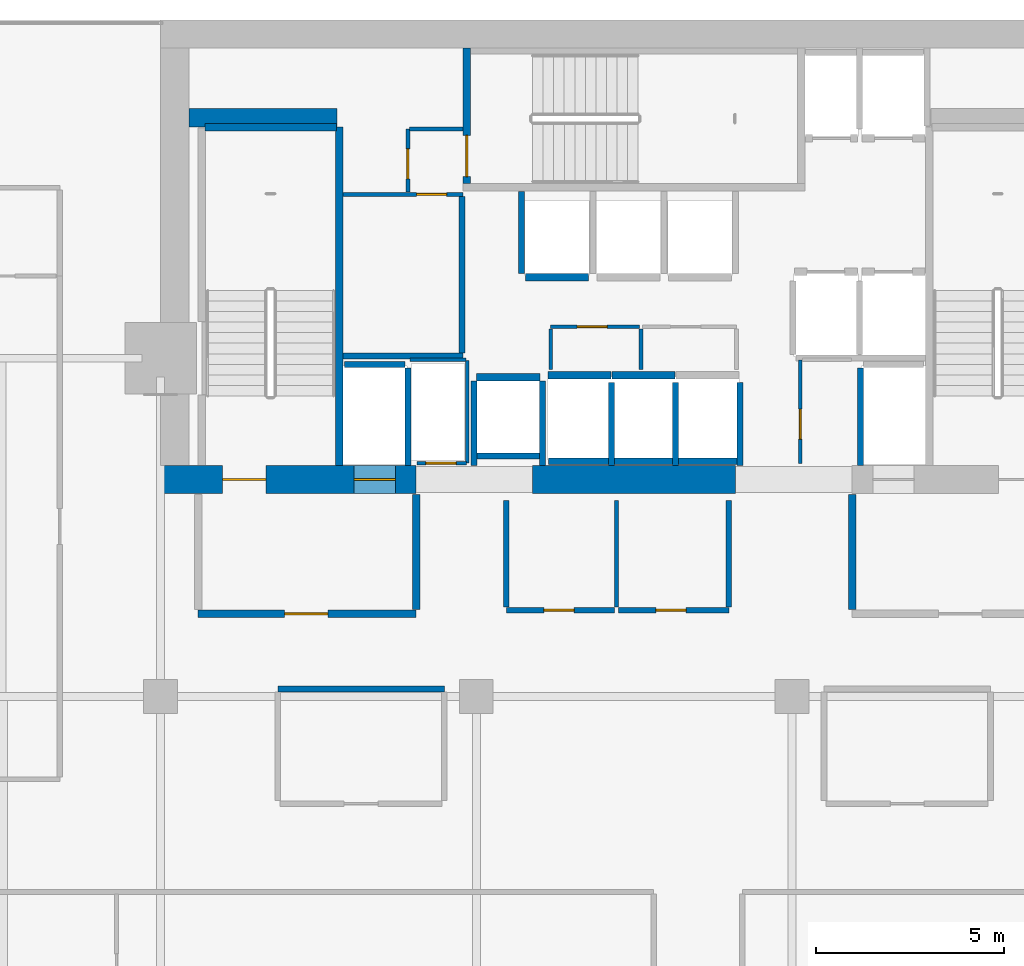
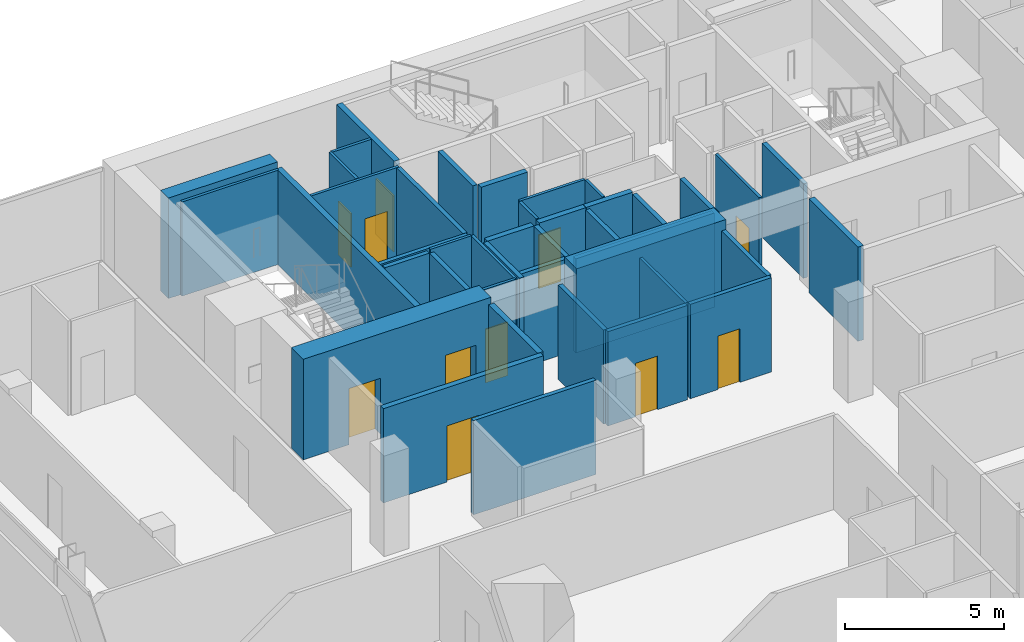
# One storey, part 29 of 33: 42 walls, 11 doors, 11 openings.
"""IFC4 building model written with IfcOpenShell, lengths in metres."""

from ifc_helpers import new_model, si_unit, direction, frame, frame_2d, origin, place, context, subcontext, project, spatial, rectangle, extrude, material, layer, layer_set, type_object, element, fill, save


model = new_model("IFC4")

# Units and contexts
model_context = context("Model", 3, precision=1e-05, world=origin(), true_north=direction((0.0, 1.0)))
body_context = subcontext(model_context, "Body", "Model", "MODEL_VIEW")
ifc_project = project(units=[si_unit("LENGTHUNIT", "METRE"), si_unit("AREAUNIT", "SQUARE_METRE"), si_unit("VOLUMEUNIT", "CUBIC_METRE"), si_unit("PLANEANGLEUNIT", "RADIAN"), si_unit("MASSUNIT", "GRAM", prefix="KILO")], contexts=[model_context])

# Site, building, storey
site_placement = place(None, origin())
site = spatial("IfcSite", under=ifc_project, at=site_placement, CompositionType="ELEMENT")
building_placement = place(site_placement, origin())
building = spatial("IfcBuilding", under=site, at=building_placement, Name="Maruvema Waterfront Hotel and Observation Tower", CompositionType="ELEMENT")
storey_placement = place(building_placement, frame((0.0, 0.0, 204.39990234375)))
storey = spatial("IfcBuildingStorey", under=building, at=storey_placement, Name="L50", CompositionType="ELEMENT", Elevation=204.39990234375)

# Walls
ifc_material_1 = material(Name="Twin-stud acoustic gypsum drywall", Category="gypsum")
ifc_layer_1 = layer(ifc_material_1, 0.14990234375, Name="Acoustic Corridor and Suite Demising Wall 150 mm")
ifc_layer_set_1 = layer_set([ifc_layer_1], Name="Twin-stud acoustic gypsum drywall")
wall_type_1 = type_object("IfcWallType", Name="Acoustic Corridor and Suite Demising Wall 150 mm", PredefinedType="PARTITIONING", material=ifc_layer_set_1)
wall_1_placement = place(storey_placement, frame((30.06005859375, 45.06005859375, 0.0), z_axis=(0.0, 0.0, 1.0), x_axis=(1.0, 0.0, 0.0)))
element("IfcWall", 1, at=wall_1_placement, inside=storey, type_object=wall_type_1, Name="L50 Freed B1 South Wall 017", PredefinedType="PARTITIONING", context=body_context, shape_type="SweptSolid", body=[
    extrude(rectangle(XDim=3.179931640625, YDim=0.14990234375, at=frame_2d((1.58984375, 0.0))), origin(), (0.0, 0.0, 1.0), 3.610107421875),
])
wall_2_placement = place(storey_placement, frame((33.219970703125, 45.139892578125, 0.0), z_axis=(0.0, 0.0, 1.0), x_axis=(0.0, 1.0, 0.0)))
element("IfcWall", 2, at=wall_2_placement, inside=storey, type_object=wall_type_1, Name="L50 Freed B1 East Wall 018", PredefinedType="PARTITIONING", context=body_context, shape_type="SweptSolid", body=[
    extrude(rectangle(XDim=4.16015625, YDim=0.14990234375, at=frame_2d((2.080078125, 0.0))), origin(), (0.0, 0.0, 1.0), 3.610107421875),
])

# Wall, opening, door
wall_3_placement = place(storey_placement, frame((34.39990234375, 38.300048828125, 0.0), z_axis=(0.0, 0.0, 1.0), x_axis=(1.0, 0.0, 0.0)))
wall_3 = element("IfcWall", 3, at=wall_3_placement, inside=storey, type_object=wall_type_1, Name="L50 Core Apron K2A South 022", PredefinedType="PARTITIONING", context=body_context, shape_type="SweptSolid", body=[
    extrude(rectangle(XDim=2.880126953125, YDim=0.14990234375, at=frame_2d((1.43994140625, 0.0))), origin(), (0.0, 0.0, 1.0), 3.610107421875),
])
opening_1_placement = place(wall_3_placement, frame((1.0, 0.0, 0.0)))
opening_1 = element("IfcOpeningElement", 4, at=opening_1_placement, cuts=wall_3, Name="Opening DR-080", PredefinedType="OPENING", context=body_context, shape_type="SweptSolid", body=[
    extrude(rectangle(XDim=0.800048828125, YDim=2.050048828125, at=frame_2d((0.39990234375, 1.02490234375))), frame((0.0, 0.0849609375, 0.0), z_axis=(0.0, -1.0, 0.0), x_axis=(1.0, 0.0, 0.0)), (0.0, 0.0, 1.0), 0.169921875),
])
ifc_material_2 = material(Name="Powder-coated steel access leaf", Category="steel")
door_type_1 = type_object("IfcDoorType", Name="Riser and Service Cupboard Door 800x2050 mm", OperationType="NOTDEFINED", PredefinedType="DOOR", material=ifc_material_2)
door_1_placement = place(opening_1_placement, frame((0.800048828125, 0.0, 0.0), z_axis=(0.0, 0.0, 1.0), x_axis=(-1.0, 0.0, 0.0)))
door_1 = element("IfcDoor", 5, at=door_1_placement, inside=storey, type_object=door_type_1, Name="L50 Core Ice Alcove Door", OperationType="SINGLE_SWING_RIGHT", OverallHeight=2.050048828125, OverallWidth=0.800048828125, PredefinedType="DOOR", context=body_context, shape_type="SweptSolid", body=[
    extrude(rectangle(XDim=0.800048828125, YDim=2.050048828125, at=frame_2d((0.39990234375, 1.02490234375))), frame((0.0, 0.02490234375, 0.0), z_axis=(0.0, -1.0, 0.0), x_axis=(1.0, 0.0, 0.0)), (0.0, 0.0, 1.0), 0.050048828125),
])
fill(opening_1, door_1)

wall_4_placement = place(storey_placement, frame((37.3798828125, 38.300048828125, 0.0), z_axis=(0.0, 0.0, 1.0), x_axis=(1.0, 0.0, 0.0)))
wall_4 = element("IfcWall", 6, at=wall_4_placement, inside=storey, type_object=wall_type_1, Name="L50 Core Apron K2B South 023", PredefinedType="PARTITIONING", context=body_context, shape_type="SweptSolid", body=[
    extrude(rectangle(XDim=2.940185546875, YDim=0.14990234375, at=frame_2d((1.47021484375, 0.0))), origin(), (0.0, 0.0, 1.0), 3.610107421875),
])
opening_2_placement = place(wall_4_placement, frame((1.0, 0.0, 0.0)))
opening_2 = element("IfcOpeningElement", 7, at=opening_2_placement, cuts=wall_4, Name="Opening DR-080", PredefinedType="OPENING", context=body_context, shape_type="SweptSolid", body=[
    extrude(rectangle(XDim=0.800048828125, YDim=2.050048828125, at=frame_2d((0.39990234375, 1.02490234375))), frame((0.0, 0.0849609375, 0.0), z_axis=(0.0, -1.0, 0.0), x_axis=(1.0, 0.0, 0.0)), (0.0, 0.0, 1.0), 0.169921875),
])
door_2_placement = place(opening_2_placement, frame((0.800048828125, 0.0, 0.0), z_axis=(0.0, 0.0, 1.0), x_axis=(-1.0, 0.0, 0.0)))
door_2 = element("IfcDoor", 8, at=door_2_placement, inside=storey, type_object=door_type_1, Name="L50 Core Valet Closet Door", OperationType="SINGLE_SWING_LEFT", OverallHeight=2.050048828125, OverallWidth=0.800048828125, PredefinedType="DOOR", context=body_context, shape_type="SweptSolid", body=[
    extrude(rectangle(XDim=0.800048828125, YDim=2.050048828125, at=frame_2d((0.39990234375, 1.02490234375))), frame((0.0, 0.02490234375, 0.0), z_axis=(0.0, -1.0, 0.0), x_axis=(1.0, 0.0, 0.0)), (0.0, 0.0, 1.0), 0.050048828125),
])
fill(opening_2, door_2)

# Walls
for number, where, z_axis, x_axis, name in (
    (9, (34.39990234375, 38.3798828125, 0.0), (0.0, 0.0, 1.0), (0.0, 1.0, 0.0), "L50 Core Apron K2 West 024"),
    (10, (40.320068359375, 38.3798828125, 0.0), (0.0, 0.0, 1.0), (0.0, 1.0, 0.0), "L50 Core Apron K2 East 026"),
):
    element("IfcWall", number, at=place(storey_placement, frame(where, z_axis=z_axis, x_axis=x_axis)), inside=storey, type_object=wall_type_1, Name=name, PredefinedType="PARTITIONING", context=body_context, shape_type="SweptSolid", body=[
        extrude(rectangle(XDim=2.840087890625, YDim=0.14990234375, at=frame_2d((1.419921875, 0.0))), origin(), (0.0, 0.0, 1.0), 3.610107421875),
    ])
wall_5_placement = place(storey_placement, frame((28.320068359375, 36.199951171875, 0.0), z_axis=(0.0, 0.0, 1.0), x_axis=(1.0, 0.0, 0.0)))
element("IfcWall", 11, at=wall_5_placement, inside=storey, type_object=wall_type_1, Name="L50 L50-M1 Back Wall 027", PredefinedType="PARTITIONING", context=body_context, shape_type="SweptSolid", body=[
    extrude(rectangle(XDim=4.429931640625, YDim=0.14990234375, at=frame_2d((2.21484375, 0.0))), origin(), (0.0, 0.0, 1.0), 3.610107421875),
])
ifc_material_3 = material(Name="Precast concrete C45/55", Category="concrete")
ifc_layer_2 = layer(ifc_material_3, 0.199951171875, Name="Core Shaft and Stairwell Enclosure Wall 200 mm")
ifc_layer_set_2 = layer_set([ifc_layer_2], Name="Precast concrete C45/55")
wall_type_2 = type_object("IfcWallType", Name="Core Shaft and Stairwell Enclosure Wall 200 mm", PredefinedType="SOLIDWALL", material=ifc_layer_set_2)
wall_6_placement = place(storey_placement, frame((29.949951171875, 42.14990234375, 0.0), z_axis=(0.0, 0.0, 1.0), x_axis=(0.0, 1.0, 0.0)))
element("IfcWall", 12, at=wall_6_placement, inside=storey, type_object=wall_type_2, Name="L50 Stairwell ST-01 East Shaft Wall", PredefinedType="SOLIDWALL", context=body_context, shape_type="SweptSolid", body=[
    extrude(rectangle(XDim=9.0, YDim=0.199951171875, at=frame_2d((4.5, 0.0))), origin(), (0.0, 0.0, 1.0), 3.610107421875),
])
wall_7_placement = place(storey_placement, frame((26.3798828125, 51.14990234375, 0.0), z_axis=(0.0, 0.0, 1.0), x_axis=(1.0, 0.0, 0.0)))
element("IfcWall", 13, at=wall_7_placement, inside=storey, type_object=wall_type_2, Name="L50 Stairwell ST-01 Shaft Lining Wall", PredefinedType="SOLIDWALL", context=body_context, shape_type="SweptSolid", body=[
    extrude(rectangle(XDim=3.5, YDim=0.199951171875, at=frame_2d((1.75, 0.0))), origin(), (0.0, 0.0, 1.0), 3.610107421875),
])

# Wall, opening, door
wall_8_placement = place(storey_placement, frame((33.35009765625, 49.64990234375, 0.0), z_axis=(0.0, 0.0, 1.0), x_axis=(0.0, 1.0, 0.0)))
wall_8 = element("IfcWall", 14, at=wall_8_placement, inside=storey, type_object=wall_type_2, Name="L50 Stairwell ST-02 Shaft Wall", PredefinedType="SOLIDWALL", context=body_context, shape_type="SweptSolid", body=[
    extrude(rectangle(XDim=3.60009765625, YDim=0.199951171875, at=frame_2d((1.800048828125, 0.0))), origin(), (0.0, 0.0, 1.0), 3.610107421875),
])
opening_3_placement = place(wall_8_placement, frame((0.179931640625, 0.0, 0.0)))
opening_3 = element("IfcOpeningElement", 15, at=opening_3_placement, cuts=wall_8, Name="Opening SD-02", PredefinedType="OPENING", context=body_context, shape_type="SweptSolid", body=[
    extrude(rectangle(XDim=1.10009765625, YDim=2.14990234375, at=frame_2d((0.550048828125, 1.074951171875))), frame((0.0, 0.10986328125, 0.0), z_axis=(0.0, -1.0, 0.0), x_axis=(1.0, 0.0, 0.0)), (0.0, 0.0, 1.0), 0.219970703125),
])
ifc_material_4 = material(Name="Fire-rated galvanised steel leaf", Category="steel")
door_type_2 = type_object("IfcDoorType", Name="Central Exit Stair Fire Door 1100x2150 mm", OperationType="NOTDEFINED", PredefinedType="DOOR", material=ifc_material_4)
door_3_placement = place(opening_3_placement, frame((1.10009765625, 0.0, 0.0), z_axis=(0.0, 0.0, 1.0), x_axis=(-1.0, 0.0, 0.0)))
door_3 = element("IfcDoor", 16, at=door_3_placement, inside=storey, type_object=door_type_2, Name="L50 Exit Stair ST-02 Fire Door", OperationType="SINGLE_SWING_LEFT", OverallHeight=2.14990234375, OverallWidth=1.10009765625, PredefinedType="DOOR", context=body_context, shape_type="SweptSolid", body=[
    extrude(rectangle(XDim=1.10009765625, YDim=2.14990234375, at=frame_2d((0.550048828125, 1.074951171875))), frame((0.0, 0.02490234375, 0.0), z_axis=(0.0, -1.0, 0.0), x_axis=(1.0, 0.0, 0.0)), (0.0, 0.0, 1.0), 0.050048828125),
])
fill(opening_3, door_3)

# Walls
for number, where, z_axis, x_axis, name in (
    (17, (35.510009765625, 44.550048828125, 0.0), (0.0, 0.0, 1.0), (1.0, 0.0, 0.0), "L50 Lift LF-09 Hoistway Front Wall"),
    (18, (37.2099609375, 44.550048828125, 0.0), (0.0, 0.0, 1.0), (1.0, 0.0, 0.0), "L50 Lift LF-10 Hoistway Front Wall"),
):
    element("IfcWall", number, at=place(storey_placement, frame(where, z_axis=z_axis, x_axis=x_axis)), inside=storey, type_object=wall_type_2, Name=name, PredefinedType="SOLIDWALL", context=body_context, shape_type="SweptSolid", body=[
        extrude(rectangle(XDim=1.679931640625, YDim=0.199951171875, at=frame_2d((0.83984375, 0.0))), origin(), (0.0, 0.0, 1.0), 3.610107421875),
    ])
wall_9_placement = place(storey_placement, frame((34.909912109375, 47.14990234375, 0.0), z_axis=(0.0, 0.0, 1.0), x_axis=(1.0, 0.0, 0.0)))
element("IfcWall", 19, at=wall_9_placement, inside=storey, type_object=wall_type_2, Name="L50 Lift LF-12 Hoistway Front Wall", PredefinedType="SOLIDWALL", context=body_context, shape_type="SweptSolid", body=[
    extrude(rectangle(XDim=1.68017578125, YDim=0.199951171875, at=frame_2d((0.840087890625, 0.0))), origin(), (0.0, 0.0, 1.0), 3.610107421875),
])
wall_10_placement = place(storey_placement, frame((33.610107421875, 44.5, 0.0), z_axis=(0.0, 0.0, 1.0), x_axis=(1.0, 0.0, 0.0)))
element("IfcWall", 20, at=wall_10_placement, inside=storey, type_object=wall_type_2, Name="L50 Lift LF-15 Hoistway Front Wall", PredefinedType="SOLIDWALL", context=body_context, shape_type="SweptSolid", body=[
    extrude(rectangle(XDim=1.679931640625, YDim=0.199951171875, at=frame_2d((0.83984375, 0.0))), origin(), (0.0, 0.0, 1.0), 3.610107421875),
])
ifc_material_5 = material(Name="Concrete C70/85", Category="concrete")
ifc_layer_3 = layer(ifc_material_5, 0.5, Name="Core Shear Wall 500 mm")
ifc_layer_set_3 = layer_set([ifc_layer_3], Name="Concrete C70/85")
wall_type_3 = type_object("IfcWallType", Name="Core Shear Wall 500 mm", PredefinedType="SHEAR", material=ifc_layer_set_3)
wall_11_placement = place(storey_placement, frame((25.949951171875, 51.39990234375, 0.0), z_axis=(0.0, 0.0, 1.0), x_axis=(1.0, 0.0, 0.0)))
element("IfcWall", 21, at=wall_11_placement, inside=storey, type_object=wall_type_3, Name="L50 Internal Core Shear Wall NW 500 mm", PredefinedType="SHEAR", context=body_context, shape_type="SweptSolid", body=[
    extrude(rectangle(XDim=3.949951171875, YDim=0.5, at=frame_2d((1.97509765625, 0.0))), origin(), (0.0, 0.0, 1.0), 3.85009765625),
])

# Wall, openings, doors
ifc_material_6 = material(Name="Concrete C70/85", Category="concrete")
ifc_layer_4 = layer(ifc_material_6, 0.75, Name="Core Shear Wall 750 mm")
ifc_layer_set_4 = layer_set([ifc_layer_4], Name="Concrete C70/85")
wall_type_4 = type_object("IfcWallType", Name="Core Shear Wall 750 mm", PredefinedType="SHEAR", material=ifc_layer_set_4)
wall_12_placement = place(storey_placement, frame((25.199951171875, 41.77490234375, 0.0), z_axis=(0.0, 0.0, 1.0), x_axis=(1.0, 0.0, 0.0)))
wall_12 = element("IfcWall", 22, at=wall_12_placement, inside=storey, type_object=wall_type_4, Name="L50 South-West Core Shear Wall", PredefinedType="SHEAR", context=body_context, shape_type="SweptSolid", body=[
    extrude(rectangle(XDim=6.800048828125, YDim=0.75, at=frame_2d((3.39990234375, 0.0))), origin(), (0.0, 0.0, 1.0), 3.85009765625),
])
opening_4_placement = place(wall_12_placement, frame((1.64990234375, 0.0, 0.0)))
opening_4 = element("IfcOpeningElement", 23, at=opening_4_placement, cuts=wall_12, Name="Opening SD-01", PredefinedType="OPENING", context=body_context, shape_type="SweptSolid", body=[
    extrude(rectangle(XDim=1.14990234375, YDim=2.14990234375, at=frame_2d((0.574951171875, 1.074951171875))), frame((0.0, 0.385009765625, 0.0), z_axis=(0.0, -1.0, 0.0), x_axis=(1.0, 0.0, 0.0)), (0.0, 0.0, 1.0), 0.77001953125),
])
opening_5_placement = place(wall_12_placement, frame((5.14990234375, 0.0, 0.0)))
opening_5 = element("IfcOpeningElement", 24, at=opening_5_placement, cuts=wall_12, Name="Opening LD-03", PredefinedType="OPENING", context=body_context, shape_type="SweptSolid", body=[
    extrude(rectangle(XDim=1.10009765625, YDim=2.199951171875, at=frame_2d((0.550048828125, 1.10009765625))), frame((0.0, 0.385009765625, 0.0), z_axis=(0.0, -1.0, 0.0), x_axis=(1.0, 0.0, 0.0)), (0.0, 0.0, 1.0), 0.77001953125),
])
ifc_material_7 = material(Name="Fire-rated galvanised steel leaf", Category="steel")
door_type_3 = type_object("IfcDoorType", Name="Exit Stair Fire Door 1150x2150 mm", OperationType="NOTDEFINED", PredefinedType="DOOR", material=ifc_material_7)
door_4_placement = place(opening_4_placement, origin())
door_4 = element("IfcDoor", 25, at=door_4_placement, inside=storey, type_object=door_type_3, Name="L50 Exit Stair ST-01 Fire Door", OperationType="SINGLE_SWING_LEFT", OverallHeight=2.14990234375, OverallWidth=1.14990234375, PredefinedType="DOOR", context=body_context, shape_type="SweptSolid", body=[
    extrude(rectangle(XDim=1.14990234375, YDim=2.14990234375, at=frame_2d((0.574951171875, 1.074951171875))), frame((0.0, 0.02490234375, 0.0), z_axis=(0.0, -1.0, 0.0), x_axis=(1.0, 0.0, 0.0)), (0.0, 0.0, 1.0), 0.050048828125),
])
fill(opening_4, door_4)
ifc_material_8 = material(Name="Brushed stainless steel Grade 316", Category="steel")
door_type_4 = type_object("IfcDoorType", Name="Firefighting Lift Sliding Landing Door 1100x2200 mm", OperationType="SLIDING_TO_LEFT", PredefinedType="DOOR", material=ifc_material_8)
door_5_placement = place(opening_5_placement, frame((1.10009765625, 0.0, 0.0), z_axis=(0.0, 0.0, 1.0), x_axis=(-1.0, 0.0, 0.0)))
door_5 = element("IfcDoor", 26, at=door_5_placement, inside=storey, type_object=door_type_4, Name="L50 Firefighting Lift FL-01 Landing Door", OperationType="SLIDING_TO_LEFT", OverallHeight=2.199951171875, OverallWidth=1.10009765625, PredefinedType="DOOR", context=body_context, shape_type="SweptSolid", body=[
    extrude(rectangle(XDim=1.10009765625, YDim=2.199951171875, at=frame_2d((0.550048828125, 1.10009765625))), frame((0.0, 0.02490234375, 0.0), z_axis=(0.0, -1.0, 0.0), x_axis=(1.0, 0.0, 0.0)), (0.0, 0.0, 1.0), 0.050048828125),
])
fill(opening_5, door_5)

# Wall
wall_13_placement = place(storey_placement, frame((35.10009765625, 41.77490234375, 0.0), z_axis=(0.0, 0.0, 1.0), x_axis=(1.0, 0.0, 0.0)))
element("IfcWall", 27, at=wall_13_placement, inside=storey, type_object=wall_type_4, Name="L50 South-Central Core Shear Wall", PredefinedType="SHEAR", context=body_context, shape_type="SweptSolid", body=[
    extrude(rectangle(XDim=5.39990234375, YDim=0.75, at=frame_2d((2.699951171875, 0.0))), origin(), (0.0, 0.0, 1.0), 3.85009765625),
])

# Wall, opening, door
ifc_material_9 = material(Name="Moisture-resistant cement-board drywall", Category="gypsum")
ifc_layer_5 = layer(ifc_material_9, 0.10009765625, Name="En-Suite Moisture-Resistant Partition 100 mm")
ifc_layer_set_5 = layer_set([ifc_layer_5], Name="Moisture-resistant cement-board drywall")
wall_type_5 = type_object("IfcWallType", Name="En-Suite Moisture-Resistant Partition 100 mm", PredefinedType="PARTITIONING", material=ifc_layer_set_5)
wall_14_placement = place(storey_placement, frame((32.02001953125, 42.2099609375, 0.0), z_axis=(0.0, 0.0, 1.0), x_axis=(1.0, 0.0, 0.0)))
wall_14 = element("IfcWall", 28, at=wall_14_placement, inside=storey, type_object=wall_type_5, Name="L50 Telecom Riser South Wall 007", PredefinedType="PARTITIONING", context=body_context, shape_type="SweptSolid", body=[
    extrude(rectangle(XDim=1.320068359375, YDim=0.10009765625, at=frame_2d((0.66015625, 0.0))), origin(), (0.0, 0.0, 1.0), 3.610107421875),
])
opening_6_placement = place(wall_14_placement, frame((0.239990234375, 0.0, 0.0)))
opening_6 = element("IfcOpeningElement", 29, at=opening_6_placement, cuts=wall_14, Name="Opening DR-080", PredefinedType="OPENING", context=body_context, shape_type="SweptSolid", body=[
    extrude(rectangle(XDim=0.800048828125, YDim=2.050048828125, at=frame_2d((0.39990234375, 1.02490234375))), frame((0.0, 0.06005859375, 0.0), z_axis=(0.0, -1.0, 0.0), x_axis=(1.0, 0.0, 0.0)), (0.0, 0.0, 1.0), 0.1201171875),
])
door_6_placement = place(opening_6_placement, frame((0.800048828125, 0.0, 0.0), z_axis=(0.0, 0.0, 1.0), x_axis=(-1.0, 0.0, 0.0)))
door_6 = element("IfcDoor", 30, at=door_6_placement, inside=storey, type_object=door_type_1, Name="L50 Telecom Riser Door", OperationType="SINGLE_SWING_RIGHT", OverallHeight=2.050048828125, OverallWidth=0.800048828125, PredefinedType="DOOR", context=body_context, shape_type="SweptSolid", body=[
    extrude(rectangle(XDim=0.800048828125, YDim=2.050048828125, at=frame_2d((0.39990234375, 1.02490234375))), frame((0.0, 0.02490234375, 0.0), z_axis=(0.0, -1.0, 0.0), x_axis=(1.0, 0.0, 0.0)), (0.0, 0.0, 1.0), 0.050048828125),
])
fill(opening_6, door_6)

# Walls
wall_15_placement = place(storey_placement, frame((31.840087890625, 44.9599609375, 0.0), z_axis=(0.0, 0.0, 1.0), x_axis=(1.0, 0.0, 0.0)))
element("IfcWall", 31, at=wall_15_placement, inside=storey, type_object=wall_type_5, Name="L50 Telecom Riser North Wall 008", PredefinedType="PARTITIONING", context=body_context, shape_type="SweptSolid", body=[
    extrude(rectangle(XDim=1.47998046875, YDim=0.10009765625, at=frame_2d((0.739990234375, 0.0))), origin(), (0.0, 0.0, 1.0), 3.610107421875),
])
wall_16_placement = place(storey_placement, frame((33.360107421875, 42.2099609375, 0.0), z_axis=(0.0, 0.0, 1.0), x_axis=(0.0, 1.0, 0.0)))
element("IfcWall", 32, at=wall_16_placement, inside=storey, type_object=wall_type_5, Name="L50 Telecom Riser East Wall 009", PredefinedType="PARTITIONING", context=body_context, shape_type="SweptSolid", body=[
    extrude(rectangle(XDim=2.72998046875, YDim=0.10009765625, at=frame_2d((1.364990234375, 0.0))), origin(), (0.0, 0.0, 1.0), 3.610107421875),
])

# Wall, opening, door
wall_17_placement = place(storey_placement, frame((35.580078125, 45.840087890625, 0.0), z_axis=(0.0, 0.0, 1.0), x_axis=(1.0, 0.0, 0.0)))
wall_17 = element("IfcWall", 33, at=wall_17_placement, inside=storey, type_object=wall_type_5, Name="L50 Core Closet K2A North 010", PredefinedType="PARTITIONING", context=body_context, shape_type="SweptSolid", body=[
    extrude(rectangle(XDim=2.35986328125, YDim=0.10009765625, at=frame_2d((1.179931640625, 0.0))), origin(), (0.0, 0.0, 1.0), 3.610107421875),
])
opening_7_placement = place(wall_17_placement, frame((0.699951171875, 0.0, 0.0)))
opening_7 = element("IfcOpeningElement", 34, at=opening_7_placement, cuts=wall_17, Name="Opening DR-080", PredefinedType="OPENING", context=body_context, shape_type="SweptSolid", body=[
    extrude(rectangle(XDim=0.800048828125, YDim=2.050048828125, at=frame_2d((0.39990234375, 1.02490234375))), frame((0.0, 0.06005859375, 0.0), z_axis=(0.0, -1.0, 0.0), x_axis=(1.0, 0.0, 0.0)), (0.0, 0.0, 1.0), 0.1201171875),
])
door_7_placement = place(opening_7_placement, origin())
door_7 = element("IfcDoor", 35, at=door_7_placement, inside=storey, type_object=door_type_1, Name="L50 Core IT Closet Door", OperationType="SINGLE_SWING_LEFT", OverallHeight=2.050048828125, OverallWidth=0.800048828125, PredefinedType="DOOR", context=body_context, shape_type="SweptSolid", body=[
    extrude(rectangle(XDim=0.800048828125, YDim=2.050048828125, at=frame_2d((0.39990234375, 1.02490234375))), frame((0.0, 0.02490234375, 0.0), z_axis=(0.0, -1.0, 0.0), x_axis=(1.0, 0.0, 0.0)), (0.0, 0.0, 1.0), 0.050048828125),
])
fill(opening_7, door_7)

# Walls
for number, where, z_axis, x_axis, name in (
    (36, (35.580078125, 44.699951171875, 0.0), (0.0, 0.0, 1.0), (0.0, 1.0, 0.0), "L50 Core Closet K2 West 012"),
    (37, (37.97998046875, 44.699951171875, 0.0), (0.0, 0.0, 1.0), (0.0, 1.0, 0.0), "L50 Core Closet K2 Mid 013"),
):
    element("IfcWall", number, at=place(storey_placement, frame(where, z_axis=z_axis, x_axis=x_axis)), inside=storey, type_object=wall_type_5, Name=name, PredefinedType="PARTITIONING", context=body_context, shape_type="SweptSolid", body=[
        extrude(rectangle(XDim=1.080078125, YDim=0.10009765625, at=frame_2d((0.5400390625, 0.0))), origin(), (0.0, 0.0, 1.0), 3.610107421875),
    ])

# Wall, opening, door
wall_18_placement = place(storey_placement, frame((42.219970703125, 42.199951171875, 0.0), z_axis=(0.0, 0.0, 1.0), x_axis=(0.0, 1.0, 0.0)))
wall_18 = element("IfcWall", 38, at=wall_18_placement, inside=storey, type_object=wall_type_5, Name="L50 Core Closet K2C West 015", PredefinedType="PARTITIONING", context=body_context, shape_type="SweptSolid", body=[
    extrude(rectangle(XDim=2.760009765625, YDim=0.10009765625, at=frame_2d((1.3798828125, 0.0))), origin(), (0.0, 0.0, 1.0), 3.610107421875),
])
opening_8_placement = place(wall_18_placement, frame((0.64990234375, 0.0, 0.0)))
opening_8 = element("IfcOpeningElement", 39, at=opening_8_placement, cuts=wall_18, Name="Opening DR-080", PredefinedType="OPENING", context=body_context, shape_type="SweptSolid", body=[
    extrude(rectangle(XDim=0.800048828125, YDim=2.050048828125, at=frame_2d((0.39990234375, 1.02490234375))), frame((0.0, 0.06005859375, 0.0), z_axis=(0.0, -1.0, 0.0), x_axis=(1.0, 0.0, 0.0)), (0.0, 0.0, 1.0), 0.1201171875),
])
door_8_placement = place(opening_8_placement, frame((0.800048828125, 0.0, 0.0), z_axis=(0.0, 0.0, 1.0), x_axis=(-1.0, 0.0, 0.0)))
door_8 = element("IfcDoor", 40, at=door_8_placement, inside=storey, type_object=door_type_1, Name="L50 Core Housekeeping Closet Door", OperationType="SINGLE_SWING_LEFT", OverallHeight=2.050048828125, OverallWidth=0.800048828125, PredefinedType="DOOR", context=body_context, shape_type="SweptSolid", body=[
    extrude(rectangle(XDim=0.800048828125, YDim=2.050048828125, at=frame_2d((0.39990234375, 1.02490234375))), frame((0.0, 0.02490234375, 0.0), z_axis=(0.0, -1.0, 0.0), x_axis=(1.0, 0.0, 0.0)), (0.0, 0.0, 1.0), 0.050048828125),
])
fill(opening_8, door_8)

wall_19_placement = place(storey_placement, frame((30.06005859375, 49.360107421875, 0.0), z_axis=(0.0, 0.0, 1.0), x_axis=(1.0, 0.0, 0.0)))
wall_19 = element("IfcWall", 41, at=wall_19_placement, inside=storey, type_object=wall_type_5, Name="L50 Freed B1 Mid Wall 019", PredefinedType="PARTITIONING", context=body_context, shape_type="SweptSolid", body=[
    extrude(rectangle(XDim=3.179931640625, YDim=0.10009765625, at=frame_2d((1.58984375, 0.0))), origin(), (0.0, 0.0, 1.0), 3.610107421875),
])
opening_9_placement = place(wall_19_placement, frame((1.949951171875, 0.0, 0.0)))
opening_9 = element("IfcOpeningElement", 42, at=opening_9_placement, cuts=wall_19, Name="Opening DR-080", PredefinedType="OPENING", context=body_context, shape_type="SweptSolid", body=[
    extrude(rectangle(XDim=0.800048828125, YDim=2.050048828125, at=frame_2d((0.39990234375, 1.02490234375))), frame((0.0, 0.06005859375, 0.0), z_axis=(0.0, -1.0, 0.0), x_axis=(1.0, 0.0, 0.0)), (0.0, 0.0, 1.0), 0.1201171875),
])
door_9_placement = place(opening_9_placement, origin())
door_9 = element("IfcDoor", 43, at=door_9_placement, inside=storey, type_object=door_type_1, Name="L50 Housekeeping and Linen Room Door", OperationType="SINGLE_SWING_RIGHT", OverallHeight=2.050048828125, OverallWidth=0.800048828125, PredefinedType="DOOR", context=body_context, shape_type="SweptSolid", body=[
    extrude(rectangle(XDim=0.800048828125, YDim=2.050048828125, at=frame_2d((0.39990234375, 1.02490234375))), frame((0.0, 0.02490234375, 0.0), z_axis=(0.0, -1.0, 0.0), x_axis=(1.0, 0.0, 0.0)), (0.0, 0.0, 1.0), 0.050048828125),
])
fill(opening_9, door_9)

wall_20_placement = place(storey_placement, frame((31.780029296875, 49.419921875, 0.0), z_axis=(0.0, 0.0, 1.0), x_axis=(0.0, 1.0, 0.0)))
wall_20 = element("IfcWall", 44, at=wall_20_placement, inside=storey, type_object=wall_type_5, Name="L50 Freed B1 NW East Wall 020", PredefinedType="PARTITIONING", context=body_context, shape_type="SweptSolid", body=[
    extrude(rectangle(XDim=1.68017578125, YDim=0.10009765625, at=frame_2d((0.840087890625, 0.0))), origin(), (0.0, 0.0, 1.0), 3.610107421875),
])
opening_10_placement = place(wall_20_placement, frame((0.35009765625, 0.0, 0.0)))
opening_10 = element("IfcOpeningElement", 45, at=opening_10_placement, cuts=wall_20, Name="Opening DR-080", PredefinedType="OPENING", context=body_context, shape_type="SweptSolid", body=[
    extrude(rectangle(XDim=0.800048828125, YDim=2.050048828125, at=frame_2d((0.39990234375, 1.02490234375))), frame((0.0, 0.06005859375, 0.0), z_axis=(0.0, -1.0, 0.0), x_axis=(1.0, 0.0, 0.0)), (0.0, 0.0, 1.0), 0.1201171875),
])
door_10_placement = place(opening_10_placement, origin())
door_10 = element("IfcDoor", 46, at=door_10_placement, inside=storey, type_object=door_type_1, Name="L50 Guest Floor Pantry Door", OperationType="SINGLE_SWING_LEFT", OverallHeight=2.050048828125, OverallWidth=0.800048828125, PredefinedType="DOOR", context=body_context, shape_type="SweptSolid", body=[
    extrude(rectangle(XDim=0.800048828125, YDim=2.050048828125, at=frame_2d((0.39990234375, 1.02490234375))), frame((0.0, 0.02490234375, 0.0), z_axis=(0.0, -1.0, 0.0), x_axis=(1.0, 0.0, 0.0)), (0.0, 0.0, 1.0), 0.050048828125),
])
fill(opening_10, door_10)

# Walls
wall_21_placement = place(storey_placement, frame((31.820068359375, 51.10009765625, 0.0), z_axis=(0.0, 0.0, 1.0), x_axis=(1.0, 0.0, 0.0)))
element("IfcWall", 47, at=wall_21_placement, inside=storey, type_object=wall_type_5, Name="L50 Freed B1 Vestibule North Wall 021", PredefinedType="PARTITIONING", context=body_context, shape_type="SweptSolid", body=[
    extrude(rectangle(XDim=1.419921875, YDim=0.10009765625, at=frame_2d((0.7099609375, 0.0))), origin(), (0.0, 0.0, 1.0), 3.610107421875),
])
wall_22_placement = place(storey_placement, frame((37.330078125, 38.3798828125, 0.0), z_axis=(0.0, 0.0, 1.0), x_axis=(0.0, 1.0, 0.0)))
element("IfcWall", 48, at=wall_22_placement, inside=storey, type_object=wall_type_5, Name="L50 Core Apron K2 Split 025", PredefinedType="PARTITIONING", context=body_context, shape_type="SweptSolid", body=[
    extrude(rectangle(XDim=2.840087890625, YDim=0.10009765625, at=frame_2d((1.419921875, 0.0))), origin(), (0.0, 0.0, 1.0), 3.610107421875),
])

# Wall, opening, door
ifc_material_10 = material(Name="Autoclaved cellular concrete blockwork", Category="masonry")
ifc_layer_6 = layer(ifc_material_10, 0.199951171875, Name="Fire Compartment Masonry Wall 200 mm")
ifc_layer_set_6 = layer_set([ifc_layer_6], Name="Autoclaved cellular concrete blockwork")
wall_type_6 = type_object("IfcWallType", Name="Fire Compartment Masonry Wall 200 mm", PredefinedType="PARTITIONING", material=ifc_layer_set_6)
wall_23_placement = place(storey_placement, frame((26.199951171875, 38.199951171875, 0.0), z_axis=(0.0, 0.0, 1.0), x_axis=(1.0, 0.0, 0.0)))
wall_23 = element("IfcWall", 49, at=wall_23_placement, inside=storey, type_object=wall_type_6, Name="L50 FFL West South Wall 001", PredefinedType="PARTITIONING", context=body_context, shape_type="SweptSolid", body=[
    extrude(rectangle(XDim=5.800048828125, YDim=0.199951171875, at=frame_2d((2.89990234375, 0.0))), origin(), (0.0, 0.0, 1.0), 3.610107421875),
])
opening_11_placement = place(wall_23_placement, frame((2.300048828125, 0.0, 0.0)))
opening_11 = element("IfcOpeningElement", 50, at=opening_11_placement, cuts=wall_23, Name="Opening FD-115", PredefinedType="OPENING", context=body_context, shape_type="SweptSolid", body=[
    extrude(rectangle(XDim=1.14990234375, YDim=2.14990234375, at=frame_2d((0.574951171875, 1.074951171875))), frame((0.0, 0.10986328125, 0.0), z_axis=(0.0, -1.0, 0.0), x_axis=(1.0, 0.0, 0.0)), (0.0, 0.0, 1.0), 0.219970703125),
])
ifc_material_11 = material(Name="Fire-rated galvanised steel and vision glass", Category="steel")
door_type_5 = type_object("IfcDoorType", Name="Firefighting Lobby Fire Door 1150x2150 mm", OperationType="NOTDEFINED", PredefinedType="DOOR", material=ifc_material_11)
door_11_placement = place(opening_11_placement, frame((1.14990234375, 0.0, 0.0), z_axis=(0.0, 0.0, 1.0), x_axis=(-1.0, 0.0, 0.0)))
door_11 = element("IfcDoor", 51, at=door_11_placement, inside=storey, type_object=door_type_5, Name="L50 Firefighting Lobby West Door", OperationType="SINGLE_SWING_RIGHT", OverallHeight=2.14990234375, OverallWidth=1.14990234375, PredefinedType="DOOR", context=body_context, shape_type="SweptSolid", body=[
    extrude(rectangle(XDim=1.14990234375, YDim=2.14990234375, at=frame_2d((0.574951171875, 1.074951171875))), frame((0.0, 0.02490234375, 0.0), z_axis=(0.0, -1.0, 0.0), x_axis=(1.0, 0.0, 0.0)), (0.0, 0.0, 1.0), 0.050048828125),
])
fill(opening_11, door_11)

# Walls
for number, where, z_axis, x_axis, name in (
    (52, (32.0, 38.31005859375, 0.0), (0.0, 0.0, 1.0), (0.0, 1.0, 0.0), "L50 FFL West East Wall 003"),
    (53, (43.60009765625, 38.31005859375, 0.0), (0.0, 0.0, 1.0), (0.0, 1.0, 0.0), "L50 FFL East West Wall 005"),
):
    element("IfcWall", number, at=place(storey_placement, frame(where, z_axis=z_axis, x_axis=x_axis)), inside=storey, type_object=wall_type_6, Name=name, PredefinedType="PARTITIONING", context=body_context, shape_type="SweptSolid", body=[
        extrude(rectangle(XDim=3.06982421875, YDim=0.199951171875, at=frame_2d((1.534912109375, 0.0))), origin(), (0.0, 0.0, 1.0), 3.610107421875),
    ])
ifc_material_12 = material(Name="Precast concrete C45/55", Category="concrete")
ifc_layer_7 = layer(ifc_material_12, 0.159912109375, Name="Lift Hoistway Divider Wall 160 mm")
ifc_layer_set_7 = layer_set([ifc_layer_7], Name="Precast concrete C45/55")
wall_type_7 = type_object("IfcWallType", Name="Lift Hoistway Divider Wall 160 mm", PredefinedType="SOLIDWALL", material=ifc_layer_set_7)
wall_24_placement = place(storey_placement, frame((30.10009765625, 44.830078125, 0.0), z_axis=(0.0, 0.0, 1.0), x_axis=(1.0, 0.0, 0.0)))
element("IfcWall", 54, at=wall_24_placement, inside=storey, type_object=wall_type_7, Name="L50 Lift FL-01 Rear Hoistway Wall", PredefinedType="SOLIDWALL", context=body_context, shape_type="SweptSolid", body=[
    extrude(rectangle(XDim=1.599853515625, YDim=0.159912109375, at=frame_2d((0.7998046875, 0.0))), origin(), (0.0, 0.0, 1.0), 3.610107421875),
])
for number, where, z_axis, x_axis, name in (
    (55, (31.780029296875, 42.14990234375, 0.0), (0.0, 0.0, 1.0), (0.0, 1.0, 0.0), "L50 Lift FL-01 Inner Hoistway Wall"),
    (56, (43.820068359375, 42.14990234375, 0.0), (0.0, 0.0, 1.0), (0.0, 1.0, 0.0), "L50 Lift FL-02 Inner Hoistway Wall"),
):
    element("IfcWall", number, at=place(storey_placement, frame(where, z_axis=z_axis, x_axis=x_axis)), inside=storey, type_object=wall_type_7, Name=name, PredefinedType="SOLIDWALL", context=body_context, shape_type="SweptSolid", body=[
        extrude(rectangle(XDim=2.590087890625, YDim=0.159912109375, at=frame_2d((1.294921875, 0.0))), origin(), (0.0, 0.0, 1.0), 3.610107421875),
    ])
for number, where, z_axis, x_axis, name in (
    (57, (37.199951171875, 42.14990234375, 0.0), (0.0, 0.0, 1.0), (0.0, 1.0, 0.0), "L50 Hoistway Divider Wall"),
    (58, (38.89990234375, 42.14990234375, 0.0), (0.0, 0.0, 1.0), (0.0, 1.0, 0.0), "L50 Hoistway Divider Wall"),
    (59, (40.6201171875, 42.14990234375, 0.0), (0.0, 0.0, 1.0), (0.0, 1.0, 0.0), "L50 Hoistway Divider Wall"),
):
    element("IfcWall", number, at=place(storey_placement, frame(where, z_axis=z_axis, x_axis=x_axis)), inside=storey, type_object=wall_type_7, Name=name, PredefinedType="SOLIDWALL", context=body_context, shape_type="SweptSolid", body=[
        extrude(rectangle(XDim=2.2001953125, YDim=0.159912109375, at=frame_2d((1.10009765625, 0.0))), origin(), (0.0, 0.0, 1.0), 3.610107421875),
    ])
wall_25_placement = place(storey_placement, frame((35.52001953125, 42.260009765625, 0.0), z_axis=(0.0, 0.0, 1.0), x_axis=(1.0, 0.0, 0.0)))
element("IfcWall", 60, at=wall_25_placement, inside=storey, type_object=wall_type_7, Name="L50 Hoistway Divider Wall", PredefinedType="SOLIDWALL", context=body_context, shape_type="SweptSolid", body=[
    extrude(rectangle(XDim=5.02001953125, YDim=0.159912109375, at=frame_2d((2.510009765625, 0.0))), origin(), (0.0, 0.0, 1.0), 3.610107421875),
])
wall_26_placement = place(storey_placement, frame((34.800048828125, 47.25, 0.0), z_axis=(0.0, 0.0, 1.0), x_axis=(0.0, 1.0, 0.0)))
element("IfcWall", 61, at=wall_26_placement, inside=storey, type_object=wall_type_7, Name="L50 Hoistway Divider Wall", PredefinedType="SOLIDWALL", context=body_context, shape_type="SweptSolid", body=[
    extrude(rectangle(XDim=2.18994140625, YDim=0.159912109375, at=frame_2d((1.094970703125, 0.0))), origin(), (0.0, 0.0, 1.0), 3.610107421875),
])
for number, where, z_axis, x_axis, name in (
    (62, (33.5400390625, 42.14990234375, 0.0), (0.0, 0.0, 1.0), (0.0, 1.0, 0.0), "L50 Hoistway Divider Wall"),
    (63, (35.360107421875, 42.14990234375, 0.0), (0.0, 0.0, 1.0), (0.0, 1.0, 0.0), "L50 Hoistway Divider Wall"),
):
    element("IfcWall", number, at=place(storey_placement, frame(where, z_axis=z_axis, x_axis=x_axis)), inside=storey, type_object=wall_type_7, Name=name, PredefinedType="SOLIDWALL", context=body_context, shape_type="SweptSolid", body=[
        extrude(rectangle(XDim=2.25, YDim=0.159912109375, at=frame_2d((1.125, 0.0))), origin(), (0.0, 0.0, 1.0), 3.610107421875),
    ])
wall_27_placement = place(storey_placement, frame((33.6201171875, 42.39990234375, 0.0), z_axis=(0.0, 0.0, 1.0), x_axis=(1.0, 0.0, 0.0)))
element("IfcWall", 64, at=wall_27_placement, inside=storey, type_object=wall_type_7, Name="L50 Hoistway Divider Wall", PredefinedType="SOLIDWALL", context=body_context, shape_type="SweptSolid", body=[
    extrude(rectangle(XDim=1.659912109375, YDim=0.159912109375, at=frame_2d((0.830078125, 0.0))), origin(), (0.0, 0.0, 1.0), 3.610107421875),
])

save(model, "model.ifc")
